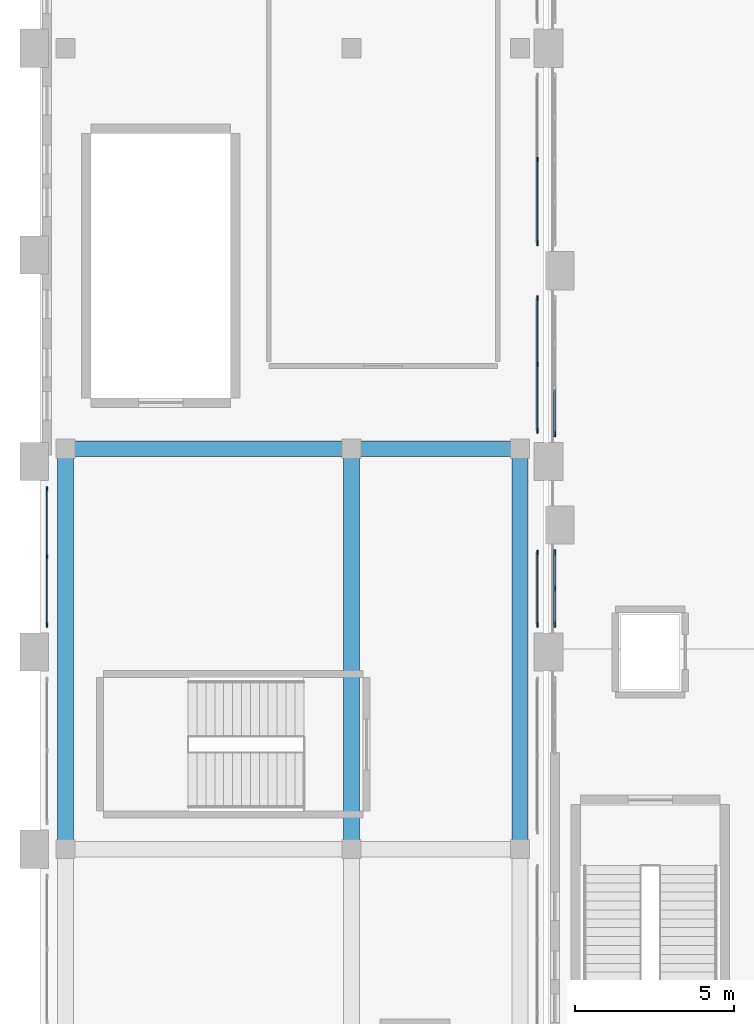
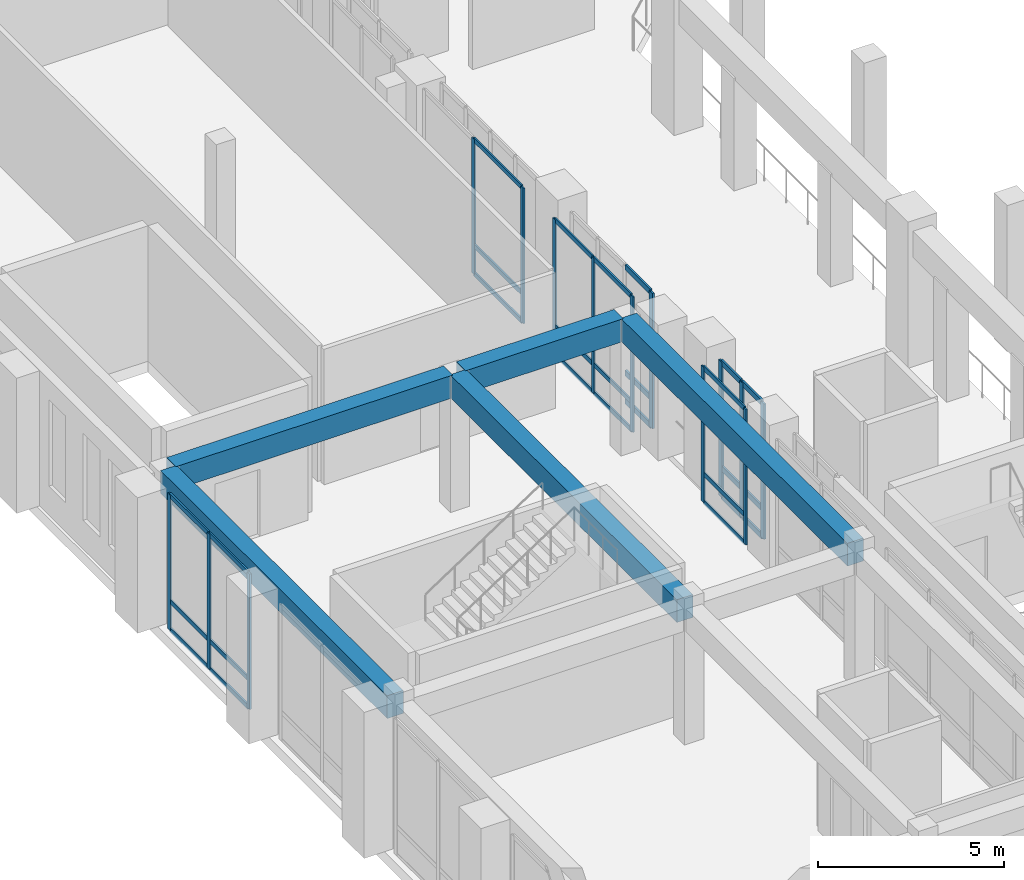
# One storey, part 29 of 126: 41 members, 5 beams, 6 elements without a shape of their own.
"""IFC4 building model written with IfcOpenShell, lengths in metres."""

import ifcopenshell
import ifcopenshell.guid

model = None  # the IFC model being written
_history = None  # IfcOwnerHistory: only IFC2X3 demands one
_inside = {}  # id of a spatial element -> (the spatial element, [elements in it])
_under = {}  # id of a project, library or spatial element -> (it, [spatial elements below it])
_declared = {}  # id of a project -> (the project, [libraries it declares])
_typed = {}  # id of a type object -> (the type object, [elements of that type])
_made_of = {}  # id of a material, layer set ... -> (it, [elements and type objects made of it])


def new_model(schema):
    """Start an empty IFC model of exactly this schema.

    Asked for "IFC4X3", IfcOpenShell would pick the latest addendum, in which some entities
    have other attributes; the version numbers below select the first issue.
    IFC2X3 requires an IfcOwnerHistory on every rooted entity: one is made here for all.
    """
    global model, _history
    if schema == "IFC4X3":
        model = ifcopenshell.file(schema_version=(4, 3, 0, 0))
    else:
        model = ifcopenshell.file(schema=schema)
    _inside.clear()
    _under.clear()
    _declared.clear()
    _typed.clear()
    _made_of.clear()
    _history = None
    if model.schema == "IFC2X3":
        org = make("IfcOrganization", Name="unknown")
        user = make(
            "IfcPersonAndOrganization",
            ThePerson=make("IfcPerson", FamilyName="unknown"),
            TheOrganization=org,
        )
        app = make(
            "IfcApplication",
            ApplicationDeveloper=org,
            Version="unknown",
            ApplicationFullName="unknown",
            ApplicationIdentifier="unknown",
        )
        _history = make(
            "IfcOwnerHistory",
            OwningUser=user,
            OwningApplication=app,
            ChangeAction="ADDED",
            CreationDate=0,
        )
    return model


def make(cls, **values):
    """One entity of the class cls with the attributes given. An attribute that is None is left unset."""
    return model.create_entity(
        cls, **{name: value for name, value in values.items() if value is not None}
    )


def rooted(cls, **values):
    """An entity with a GlobalId (a new one), such as an element, a storey or a relation."""
    return make(cls, GlobalId=ifcopenshell.guid.new(), OwnerHistory=_history, **values)


def si_unit(unit_type, name, prefix=None):
    """IfcSIUnit, for example si_unit("LENGTHUNIT", "METRE", prefix="MILLI")."""
    return make("IfcSIUnit", UnitType=unit_type, Prefix=prefix, Name=name)


def derived_unit(unit_type, elements):
    """IfcDerivedUnit: a product of units, each with its exponent."""
    return make(
        "IfcDerivedUnit",
        Elements=[
            make("IfcDerivedUnitElement", Unit=unit, Exponent=power)
            for unit, power in elements
        ],
        UnitType=unit_type,
    )


def assignment(units):
    """IfcUnitAssignment: the units of a project."""
    return None if units is None else make("IfcUnitAssignment", Units=units)


def point(xyz):
    """IfcCartesianPoint."""
    return None if xyz is None else make("IfcCartesianPoint", Coordinates=xyz)


def direction(xyz):
    """IfcDirection."""
    return None if xyz is None else make("IfcDirection", DirectionRatios=xyz)


def frame(location, z_axis=None, x_axis=None):
    """IfcAxis2Placement3D, a coordinate frame: its origin and axes. An axis left out is left unset."""
    return make(
        "IfcAxis2Placement3D",
        Location=point(location),
        Axis=direction(z_axis),
        RefDirection=direction(x_axis),
    )


def frame_2d(location, x_axis=None):
    """IfcAxis2Placement2D, a coordinate frame in the plane: its origin and x axis."""
    return make(
        "IfcAxis2Placement2D", Location=point(location), RefDirection=direction(x_axis)
    )


def origin():
    """The frame at (0, 0, 0) with its axes left unset."""
    return frame((0.0, 0.0, 0.0))


def origin_2d():
    """The frame at (0, 0) in the plane with its x axis left unset."""
    return frame_2d((0.0, 0.0))


def place(relative_to, where):
    """IfcLocalPlacement: puts the frame where relative to a parent placement (None: the world)."""
    return make(
        "IfcLocalPlacement", PlacementRelTo=relative_to, RelativePlacement=where
    )


def context(
    kind, dimensions, precision=None, world=None, true_north=None, identifier=None
):
    """IfcGeometricRepresentationContext, for example the 3D "Model" context."""
    return make(
        "IfcGeometricRepresentationContext",
        ContextIdentifier=identifier,
        ContextType=kind,
        CoordinateSpaceDimension=dimensions,
        Precision=precision,
        WorldCoordinateSystem=world,
        TrueNorth=true_north,
    )


def subcontext(parent, identifier, kind, view, scale=None):
    """IfcGeometricRepresentationSubContext, for example "Body" below "Model"."""
    return make(
        "IfcGeometricRepresentationSubContext",
        ContextIdentifier=identifier,
        ContextType=kind,
        ParentContext=parent,
        TargetScale=scale,
        TargetView=view,
    )


def project(units=None, contexts=None):
    """IfcProject with its units and contexts."""
    return rooted(
        "IfcProject",
        Name="project",
        RepresentationContexts=contexts,
        UnitsInContext=assignment(units),
    )


def spatial(cls, under=None, at=None, **own):
    """A site, building, storey or space (cls), placed at a placement, below another one or the project."""
    s = rooted(cls, ObjectPlacement=at, **own)
    if under is not None:
        _under.setdefault(under.id(), (under, []))[1].append(s)
    return s


def profile(cls, at=None, kind="AREA", **sizes):
    """A parametric profile (cls). Its sizes go by their IFC names, for example OverallWidth=200.0."""
    return make(cls, ProfileType=kind, Position=at, **sizes)


def rectangle(**sizes):
    """IfcRectangleProfileDef."""
    return profile("IfcRectangleProfileDef", **sizes)


def extrude(swept, where, along, depth):
    """IfcExtrudedAreaSolid: the profile swept, set in the frame where, extruded along a direction by depth."""
    return make(
        "IfcExtrudedAreaSolid",
        SweptArea=swept,
        Position=where,
        ExtrudedDirection=direction(along),
        Depth=depth,
    )


def shape(context_of_items, identifier, shape_type, items):
    """IfcShapeRepresentation: the items that make up one representation, for example the "Body"."""
    return make(
        "IfcShapeRepresentation",
        ContextOfItems=context_of_items,
        RepresentationIdentifier=identifier,
        RepresentationType=shape_type,
        Items=items,
    )


def material(Name=None, Category=None):
    """IfcMaterial."""
    return make("IfcMaterial", Name=Name, Category=Category)


def layer(
    of_material, thickness, ventilated=None, Name=None, Category=None, Priority=None
):
    """IfcMaterialLayer: one layer of a wall or slab, of a material (None: an air gap)."""
    return make(
        "IfcMaterialLayer",
        Material=of_material,
        LayerThickness=thickness,
        IsVentilated=ventilated,
        Name=Name,
        Category=Category,
        Priority=Priority,
    )


def layer_set(layers, Name=None):
    """IfcMaterialLayerSet."""
    return make("IfcMaterialLayerSet", MaterialLayers=layers, LayerSetName=Name)


def material_profile(
    of_material, cross_section, Name=None, Category=None, Priority=None
):
    """IfcMaterialProfile: a cross section and its material."""
    return make(
        "IfcMaterialProfile",
        Name=Name,
        Material=of_material,
        Profile=cross_section,
        Priority=Priority,
        Category=Category,
    )


def profile_set(profiles, Name=None, composite=None):
    """IfcMaterialProfileSet."""
    return make(
        "IfcMaterialProfileSet",
        Name=Name,
        MaterialProfiles=profiles,
        CompositeProfile=composite,
    )


def made_of(thing, what):
    """Note that an element or type object is made of a material, layer set ...; save() writes the relation."""
    if what is not None:
        _made_of.setdefault(what.id(), (what, []))[1].append(thing)
    return thing


def type_object(cls, material=None, **own):
    """A type object (cls), such as IfcWallType, which elements share."""
    return made_of(rooted(cls, **own), material)


def element(
    cls,
    number,
    at=None,
    inside=None,
    cuts=None,
    type_object=None,
    material=None,
    context=None,
    identifier="Body",
    shape_type=None,
    held_by="IfcProductDefinitionShape",
    body=None,
    shapes=None,
    **own,
):
    """One element of the class cls, such as IfcWall. Its Tag is "e" and its number.

    at: its placement. inside: the storey or other place that contains it. cuts: it is an
    opening in that element (IfcRelVoidsElement). A single representation is given by context,
    identifier, shape_type and body (its items); several are given by shapes. held_by: the class
    of the entity that holds the representations. save() writes the other relations.
    """
    e = rooted(cls, Tag="e%d" % number, ObjectPlacement=at, **own)
    if body is not None:
        shapes = [shape(context, identifier, shape_type, body)]
    if shapes is not None:
        e.Representation = make(held_by, Representations=shapes)
    if inside is not None:
        _inside.setdefault(inside.id(), (inside, []))[1].append(e)
    if cuts is not None:
        rooted(
            "IfcRelVoidsElement", RelatingBuildingElement=cuts, RelatedOpeningElement=e
        )
    if type_object is not None:
        _typed.setdefault(type_object.id(), (type_object, []))[1].append(e)
    return made_of(e, material)


def aggregate(whole, parts):
    """IfcRelAggregates: a whole, such as a stair, and the parts it consists of."""
    return rooted("IfcRelAggregates", RelatingObject=whole, RelatedObjects=parts)


def save(model, path):
    """Write the relations noted so far, then the file.

    IfcRelAggregates (storeys below a building ...), IfcRelContainedInSpatialStructure (elements
    in a storey), IfcRelDefinesByType, IfcRelAssociatesMaterial and IfcRelDeclares: one each for
    every whole, place, type object, material and project.
    """
    for whole, parts in _under.values():
        aggregate(whole, parts)
    for where, things in _inside.values():
        rooted(
            "IfcRelContainedInSpatialStructure",
            RelatedElements=things,
            RelatingStructure=where,
        )
    for kind, things in _typed.values():
        rooted("IfcRelDefinesByType", RelatedObjects=things, RelatingType=kind)
    for what, things in _made_of.values():
        rooted("IfcRelAssociatesMaterial", RelatedObjects=things, RelatingMaterial=what)
    for by, libraries in _declared.values():
        rooted("IfcRelDeclares", RelatingContext=by, RelatedDefinitions=libraries)
    model.write(path)


model = new_model("IFC4")

# Units and contexts
model_context = context("Model", 3, precision=1e-05, world=origin(), true_north=direction((0.0, 1.0)))
body_context = subcontext(model_context, "Body", "Model", "MODEL_VIEW")
ifc_project = project(units=[si_unit("LENGTHUNIT", "METRE"), si_unit("AREAUNIT", "SQUARE_METRE"), si_unit("VOLUMEUNIT", "CUBIC_METRE"), si_unit("PLANEANGLEUNIT", "RADIAN"), si_unit("MASSUNIT", "GRAM", prefix="KILO"), derived_unit("THERMALTRANSMITTANCEUNIT", [(si_unit("MASSUNIT", "GRAM", prefix="KILO"), 1), (si_unit("TIMEUNIT", "SECOND"), -3), (si_unit("THERMODYNAMICTEMPERATUREUNIT", "KELVIN"), -1)])], contexts=[model_context])

# Site, building, storey
site_placement = place(None, origin())
site = spatial("IfcSite", under=ifc_project, at=site_placement, CompositionType="ELEMENT")
building_placement = place(site_placement, origin())
building = spatial("IfcBuilding", under=site, at=building_placement, Name="Valcora Ridge Arena", CompositionType="ELEMENT")
storey_placement = place(building_placement, frame((0.0, 0.0, 11.39990234375)))
storey = spatial("IfcBuildingStorey", under=building, at=storey_placement, Name="L02", CompositionType="ELEMENT", Elevation=11.39990234375)

# Beams
ifc_material_1 = material(Name="Concrete C40/50", Category="concrete")
ifc_material_profile_1 = material_profile(ifc_material_1, rectangle(XDim=0.5, YDim=0.75, at=origin_2d()), Name="RC 500x750")
ifc_profile_set_1 = profile_set([ifc_material_profile_1], Name="Concrete C40/50")
beam_type_1 = type_object("IfcBeamType", Name="TY-BEAM-B-RC500-X", PredefinedType="BEAM", material=ifc_profile_set_1)
beam_1_placement = place(storey_placement, frame((1.0, 70.39990234375, 4.0751953125), z_axis=(1.0, 0.0, 0.0), x_axis=(0.0, 1.0, 0.0)))
element("IfcBeam", 1, at=beam_1_placement, inside=storey, type_object=beam_type_1, Name="B-RC500-X BEM-B-RC500-X-0073", PredefinedType="BEAM", context=body_context, shape_type="SweptSolid", body=[
    extrude(rectangle(XDim=0.5, YDim=0.75, at=origin_2d()), origin(), (0.0, 0.0, 1.0), 8.60009765625),
])
beam_2_placement = place(storey_placement, frame((10.0, 70.39990234375, 4.0751953125), z_axis=(1.0, 0.0, 0.0), x_axis=(0.0, 1.0, 0.0)))
element("IfcBeam", 2, at=beam_2_placement, inside=storey, type_object=beam_type_1, Name="B-RC500-X BEM-B-RC500-X-0074", PredefinedType="BEAM", context=body_context, shape_type="SweptSolid", body=[
    extrude(rectangle(XDim=0.5, YDim=0.75, at=origin_2d()), origin(), (0.0, 0.0, 1.0), 4.89990234375),
])
ifc_material_profile_2 = material_profile(ifc_material_1, rectangle(XDim=0.5, YDim=0.75, at=origin_2d()), Name="RC 500x750")
ifc_profile_set_2 = profile_set([ifc_material_profile_2], Name="Concrete C40/50")
beam_type_2 = type_object("IfcBeamType", Name="TY-BEAM-B-RC500-Y", PredefinedType="BEAM", material=ifc_profile_set_2)
for number, where, z_axis, x_axis, name in (
    (3, (0.800048828125, 58.0, 4.0751953125), (0.0, 1.0, 0.0), (-1.0, 0.0, 0.0), "B-RC500-Y BEM-B-RC500-Y-0072"),
    (4, (9.800048828125, 58.0, 4.0751953125), (0.0, 1.0, 0.0), (-1.0, 0.0, 0.0), "B-RC500-Y BEM-B-RC500-Y-0078"),
    (5, (15.10009765625, 58.0, 4.0751953125), (0.0, 1.0, 0.0), (-1.0, 0.0, 0.0), "B-RC500-Y BEM-B-RC500-Y-0083"),
):
    element("IfcBeam", number, at=place(storey_placement, frame(where, z_axis=z_axis, x_axis=x_axis)), inside=storey, type_object=beam_type_2, Name=name, PredefinedType="BEAM", context=body_context, shape_type="SweptSolid", body=[
        extrude(rectangle(XDim=0.5, YDim=0.75, at=origin_2d()), origin(), (0.0, 0.0, 1.0), 12.199951171875),
    ])

# Curtain wall, members
ifc_material_2 = material(Name="Anodised dark bronze architectural aluminium 6063-T6", Category="aluminium")
ifc_layer_1 = layer(ifc_material_2, 0.14990234375, Name="Anodised dark bronze architectural aluminium 6063-T6")
ifc_layer_set_1 = layer_set([ifc_layer_1], Name="Anodised dark bronze architectural aluminium 6063-T6")
curtain_wall_type_1 = type_object("IfcCurtainWallType", Name="TY-CURTAINWALL-CW-V4-CLUB-043X44", PredefinedType="NOTDEFINED", material=ifc_layer_set_1)
curtain_wall_1_placement = place(storey_placement, origin())
curtain_wall_1 = element("IfcCurtainWall", 6, at=curtain_wall_1_placement, inside=storey, type_object=curtain_wall_type_1, Name="CW-V4-CLUB-043X44 CW-0262", PredefinedType="NOTDEFINED")
ifc_material_profile_3 = material_profile(ifc_material_2, rectangle(XDim=0.050048828125, YDim=0.14990234375, at=origin_2d()), Name="ALU MULLION 50x150")
ifc_profile_set_3 = profile_set([ifc_material_profile_3], Name="Anodised dark bronze architectural aluminium 6063-T6")
member_type_1 = type_object("IfcMemberType", Name="TY-MEM-CWM-50x150", PredefinedType="MULLION", material=ifc_profile_set_3)
member_1_placement = place(storey_placement, frame((0.219970703125, 64.864990234375, 0.0), z_axis=(0.0, 0.0, 1.0), x_axis=(-1.0, 0.0, 0.0)))
member_1 = element("IfcMember", 7, at=member_1_placement, type_object=member_type_1, Name="CW-0262/CWM-50x150/M00", PredefinedType="MULLION", context=body_context, shape_type="SweptSolid", body=[
    extrude(rectangle(XDim=0.050048828125, YDim=0.14990234375, at=origin_2d()), origin(), (0.0, 0.0, 1.0), 4.4501953125),
])
member_2_placement = place(storey_placement, frame((0.219970703125, 67.0, 0.0), z_axis=(0.0, 0.0, 1.0), x_axis=(-1.0, 0.0, 0.0)))
member_2 = element("IfcMember", 8, at=member_2_placement, type_object=member_type_1, Name="CW-0262/CWM-50x150/M01", PredefinedType="MULLION", context=body_context, shape_type="SweptSolid", body=[
    extrude(rectangle(XDim=0.050048828125, YDim=0.14990234375, at=origin_2d()), origin(), (0.0, 0.0, 1.0), 4.4501953125),
])
member_3_placement = place(storey_placement, frame((0.219970703125, 69.135009765625, 0.0), z_axis=(0.0, 0.0, 1.0), x_axis=(-1.0, 0.0, 0.0)))
member_3 = element("IfcMember", 9, at=member_3_placement, type_object=member_type_1, Name="CW-0262/CWM-50x150/M02", PredefinedType="MULLION", context=body_context, shape_type="SweptSolid", body=[
    extrude(rectangle(XDim=0.050048828125, YDim=0.14990234375, at=origin_2d()), origin(), (0.0, 0.0, 1.0), 4.4501953125),
])

ifc_layer_2 = layer(ifc_material_2, 0.14990234375, Name="Anodised dark bronze architectural aluminium 6063-T6")
ifc_layer_set_2 = layer_set([ifc_layer_2], Name="Anodised dark bronze architectural aluminium 6063-T6")
curtain_wall_type_2 = type_object("IfcCurtainWallType", Name="TY-CURTAINWALL-CW-V4-CLUB-023X44", PredefinedType="NOTDEFINED", material=ifc_layer_set_2)
curtain_wall_2_placement = place(storey_placement, origin())
curtain_wall_2 = element("IfcCurtainWall", 10, at=curtain_wall_2_placement, inside=storey, type_object=curtain_wall_type_2, Name="CW-V4-CLUB-023X44 CW-0265", PredefinedType="NOTDEFINED")
member_4_placement = place(storey_placement, frame((15.64990234375, 64.864990234375, 0.0), z_axis=(0.0, 0.0, 1.0), x_axis=(-1.0, 0.0, 0.0)))
member_4 = element("IfcMember", 11, at=member_4_placement, type_object=member_type_1, Name="CW-0265/CWM-50x150/M00", PredefinedType="MULLION", context=body_context, shape_type="SweptSolid", body=[
    extrude(rectangle(XDim=0.050048828125, YDim=0.14990234375, at=origin_2d()), origin(), (0.0, 0.0, 1.0), 4.4501953125),
])
member_5_placement = place(storey_placement, frame((15.64990234375, 67.135009765625, 0.0), z_axis=(0.0, 0.0, 1.0), x_axis=(-1.0, 0.0, 0.0)))
member_5 = element("IfcMember", 12, at=member_5_placement, type_object=member_type_1, Name="CW-0265/CWM-50x150/M01", PredefinedType="MULLION", context=body_context, shape_type="SweptSolid", body=[
    extrude(rectangle(XDim=0.050048828125, YDim=0.14990234375, at=origin_2d()), origin(), (0.0, 0.0, 1.0), 4.4501953125),
])

ifc_layer_3 = layer(ifc_material_2, 0.14990234375, Name="Anodised dark bronze architectural aluminium 6063-T6")
ifc_layer_set_3 = layer_set([ifc_layer_3], Name="Anodised dark bronze architectural aluminium 6063-T6")
curtain_wall_type_3 = type_object("IfcCurtainWallType", Name="TY-CURTAINWALL-CW-V4-CLUB-042X44", PredefinedType="NOTDEFINED", material=ifc_layer_set_3)
curtain_wall_3_placement = place(storey_placement, origin())
curtain_wall_3 = element("IfcCurtainWall", 13, at=curtain_wall_3_placement, inside=storey, type_object=curtain_wall_type_3, Name="CW-V4-CLUB-042X44 CW-0266", PredefinedType="NOTDEFINED")
member_6_placement = place(storey_placement, frame((15.64990234375, 70.965087890625, 0.0), z_axis=(0.0, 0.0, 1.0), x_axis=(-1.0, 0.0, 0.0)))
member_6 = element("IfcMember", 14, at=member_6_placement, type_object=member_type_1, Name="CW-0266/CWM-50x150/M00", PredefinedType="MULLION", context=body_context, shape_type="SweptSolid", body=[
    extrude(rectangle(XDim=0.050048828125, YDim=0.14990234375, at=origin_2d()), origin(), (0.0, 0.0, 1.0), 4.4501953125),
])
member_7_placement = place(storey_placement, frame((15.64990234375, 73.050048828125, 0.0), z_axis=(0.0, 0.0, 1.0), x_axis=(-1.0, 0.0, 0.0)))
member_7 = element("IfcMember", 15, at=member_7_placement, type_object=member_type_1, Name="CW-0266/CWM-50x150/M01", PredefinedType="MULLION", context=body_context, shape_type="SweptSolid", body=[
    extrude(rectangle(XDim=0.050048828125, YDim=0.14990234375, at=origin_2d()), origin(), (0.0, 0.0, 1.0), 4.4501953125),
])
member_8_placement = place(storey_placement, frame((15.64990234375, 75.135009765625, 0.0), z_axis=(0.0, 0.0, 1.0), x_axis=(-1.0, 0.0, 0.0)))
member_8 = element("IfcMember", 16, at=member_8_placement, type_object=member_type_1, Name="CW-0266/CWM-50x150/M02", PredefinedType="MULLION", context=body_context, shape_type="SweptSolid", body=[
    extrude(rectangle(XDim=0.050048828125, YDim=0.14990234375, at=origin_2d()), origin(), (0.0, 0.0, 1.0), 4.4501953125),
])

ifc_layer_4 = layer(ifc_material_2, 0.14990234375, Name="Anodised dark bronze architectural aluminium 6063-T6")
ifc_layer_set_4 = layer_set([ifc_layer_4], Name="Anodised dark bronze architectural aluminium 6063-T6")
curtain_wall_type_4 = type_object("IfcCurtainWallType", Name="TY-CURTAINWALL-CW-V4-CLUB-053X44", PredefinedType="NOTDEFINED", material=ifc_layer_set_4)
curtain_wall_4_placement = place(storey_placement, origin())
curtain_wall_4 = element("IfcCurtainWall", 17, at=curtain_wall_4_placement, inside=storey, type_object=curtain_wall_type_4, Name="CW-V4-CLUB-053X44 CW-0267", PredefinedType="NOTDEFINED")
member_9_placement = place(storey_placement, frame((15.64990234375, 76.864990234375, 0.0), z_axis=(0.0, 0.0, 1.0), x_axis=(-1.0, 0.0, 0.0)))
member_9 = element("IfcMember", 18, at=member_9_placement, type_object=member_type_1, Name="CW-0267/CWM-50x150/M00", PredefinedType="MULLION", context=body_context, shape_type="SweptSolid", body=[
    extrude(rectangle(XDim=0.050048828125, YDim=0.14990234375, at=origin_2d()), origin(), (0.0, 0.0, 1.0), 4.4501953125),
])
member_10_placement = place(storey_placement, frame((15.64990234375, 79.5, 0.0), z_axis=(0.0, 0.0, 1.0), x_axis=(-1.0, 0.0, 0.0)))
member_10 = element("IfcMember", 19, at=member_10_placement, type_object=member_type_1, Name="CW-0267/CWM-50x150/M01", PredefinedType="MULLION", context=body_context, shape_type="SweptSolid", body=[
    extrude(rectangle(XDim=0.050048828125, YDim=0.14990234375, at=origin_2d()), origin(), (0.0, 0.0, 1.0), 4.4501953125),
])

ifc_layer_5 = layer(ifc_material_2, 0.179931640625, Name="Anodised dark bronze architectural aluminium 6063-T6")
ifc_layer_set_5 = layer_set([ifc_layer_5], Name="Anodised dark bronze architectural aluminium 6063-T6")
curtain_wall_type_5 = type_object("IfcCurtainWallType", Name="TY-CURTAINWALL-CW-V1-GOTH-023X44", PredefinedType="NOTDEFINED", material=ifc_layer_set_5)
curtain_wall_5_placement = place(storey_placement, origin())
curtain_wall_5 = element("IfcCurtainWall", 20, at=curtain_wall_5_placement, inside=storey, type_object=curtain_wall_type_5, Name="CW-V1-GOTH-023X44 CW-0115", PredefinedType="NOTDEFINED")
ifc_material_profile_4 = material_profile(ifc_material_2, rectangle(XDim=0.06005859375, YDim=0.179931640625, at=origin_2d()), Name="ALU MULLION 60x180")
ifc_profile_set_4 = profile_set([ifc_material_profile_4], Name="Anodised dark bronze architectural aluminium 6063-T6")
member_type_2 = type_object("IfcMemberType", Name="TY-MEM-CWM-60x180", PredefinedType="MULLION", material=ifc_profile_set_4)
member_11_placement = place(storey_placement, frame((16.199951171875, 64.8701171875, 0.0), z_axis=(0.0, 0.0, 1.0), x_axis=(-1.0, 0.0, 0.0)))
member_11 = element("IfcMember", 21, at=member_11_placement, type_object=member_type_2, Name="CW-0115/CWM-60x180/M00", PredefinedType="MULLION", context=body_context, shape_type="SweptSolid", body=[
    extrude(rectangle(XDim=0.06005859375, YDim=0.179931640625, at=origin_2d()), origin(), (0.0, 0.0, 1.0), 4.4501953125),
])
member_12_placement = place(storey_placement, frame((16.199951171875, 66.0, 0.0), z_axis=(0.0, 0.0, 1.0), x_axis=(-1.0, 0.0, 0.0)))
member_12 = element("IfcMember", 22, at=member_12_placement, type_object=member_type_2, Name="CW-0115/CWM-60x180/M01", PredefinedType="MULLION", context=body_context, shape_type="SweptSolid", body=[
    extrude(rectangle(XDim=0.06005859375, YDim=0.179931640625, at=origin_2d()), origin(), (0.0, 0.0, 1.0), 4.4501953125),
])
member_13_placement = place(storey_placement, frame((16.199951171875, 67.1298828125, 0.0), z_axis=(0.0, 0.0, 1.0), x_axis=(-1.0, 0.0, 0.0)))
member_13 = element("IfcMember", 23, at=member_13_placement, type_object=member_type_2, Name="CW-0115/CWM-60x180/M02", PredefinedType="MULLION", context=body_context, shape_type="SweptSolid", body=[
    extrude(rectangle(XDim=0.06005859375, YDim=0.179931640625, at=origin_2d()), origin(), (0.0, 0.0, 1.0), 4.4501953125),
])

# Curtain wall, member
ifc_layer_6 = layer(ifc_material_2, 0.179931640625, Name="Anodised dark bronze architectural aluminium 6063-T6")
ifc_layer_set_6 = layer_set([ifc_layer_6], Name="Anodised dark bronze architectural aluminium 6063-T6")
curtain_wall_type_6 = type_object("IfcCurtainWallType", Name="TY-CURTAINWALL-CW-V1-GOTH-043X44", PredefinedType="NOTDEFINED", material=ifc_layer_set_6)
curtain_wall_6_placement = place(storey_placement, origin())
curtain_wall_6 = element("IfcCurtainWall", 24, at=curtain_wall_6_placement, inside=storey, type_object=curtain_wall_type_6, Name="CW-V1-GOTH-043X44 CW-0116", PredefinedType="NOTDEFINED")
member_14_placement = place(storey_placement, frame((16.199951171875, 70.8701171875, 0.0), z_axis=(0.0, 0.0, 1.0), x_axis=(-1.0, 0.0, 0.0)))
member_14 = element("IfcMember", 25, at=member_14_placement, type_object=member_type_2, Name="CW-0116/CWM-60x180/M00", PredefinedType="MULLION", context=body_context, shape_type="SweptSolid", body=[
    extrude(rectangle(XDim=0.06005859375, YDim=0.179931640625, at=origin_2d()), origin(), (0.0, 0.0, 1.0), 4.4501953125),
])

# Member
ifc_material_profile_5 = material_profile(ifc_material_2, rectangle(XDim=0.050048828125, YDim=0.14990234375, at=origin_2d()), Name="ALU TRANSOM 50x150")
ifc_profile_set_5 = profile_set([ifc_material_profile_5], Name="Anodised dark bronze architectural aluminium 6063-T6")
member_type_3 = type_object("IfcMemberType", Name="TY-MEM-CWT-50x150", PredefinedType="USERDEFINED", material=ifc_profile_set_5)
member_15_placement = place(storey_placement, frame((0.219970703125, 64.889892578125, 0.025146484375), z_axis=(0.0, 1.0, 0.0), x_axis=(-1.0, 0.0, 0.0)))
member_15 = element("IfcMember", 26, at=member_15_placement, type_object=member_type_3, Name="CW-0262/CWT-50x150/T00-00", ObjectType="TRANSOM", PredefinedType="USERDEFINED", context=body_context, shape_type="SweptSolid", body=[
    extrude(rectangle(XDim=0.050048828125, YDim=0.14990234375, at=origin_2d()), origin(), (0.0, 0.0, 1.0), 2.085205078125),
])

member_16_placement = place(storey_placement, frame((0.219970703125, 64.889892578125, 0.9501953125), z_axis=(0.0, 1.0, 0.0), x_axis=(-1.0, 0.0, 0.0)))
member_16 = element("IfcMember", 27, at=member_16_placement, type_object=member_type_3, Name="CW-0262/CWT-50x150/T00-01", ObjectType="TRANSOM", PredefinedType="USERDEFINED", context=body_context, shape_type="SweptSolid", body=[
    extrude(rectangle(XDim=0.050048828125, YDim=0.14990234375, at=origin_2d()), origin(), (0.0, 0.0, 1.0), 2.085205078125),
])

member_17_placement = place(storey_placement, frame((0.219970703125, 64.889892578125, 4.425048828125), z_axis=(0.0, 1.0, 0.0), x_axis=(-1.0, 0.0, 0.0)))
member_17 = element("IfcMember", 28, at=member_17_placement, type_object=member_type_3, Name="CW-0262/CWT-50x150/T00-02", ObjectType="TRANSOM", PredefinedType="USERDEFINED", context=body_context, shape_type="SweptSolid", body=[
    extrude(rectangle(XDim=0.050048828125, YDim=0.14990234375, at=origin_2d()), origin(), (0.0, 0.0, 1.0), 2.085205078125),
])

member_18_placement = place(storey_placement, frame((0.219970703125, 67.02490234375, 0.025146484375), z_axis=(0.0, 1.0, 0.0), x_axis=(-1.0, 0.0, 0.0)))
member_18 = element("IfcMember", 29, at=member_18_placement, type_object=member_type_3, Name="CW-0262/CWT-50x150/T01-00", ObjectType="TRANSOM", PredefinedType="USERDEFINED", context=body_context, shape_type="SweptSolid", body=[
    extrude(rectangle(XDim=0.050048828125, YDim=0.14990234375, at=origin_2d()), origin(), (0.0, 0.0, 1.0), 2.085205078125),
])

member_19_placement = place(storey_placement, frame((0.219970703125, 67.02490234375, 0.9501953125), z_axis=(0.0, 1.0, 0.0), x_axis=(-1.0, 0.0, 0.0)))
member_19 = element("IfcMember", 30, at=member_19_placement, type_object=member_type_3, Name="CW-0262/CWT-50x150/T01-01", ObjectType="TRANSOM", PredefinedType="USERDEFINED", context=body_context, shape_type="SweptSolid", body=[
    extrude(rectangle(XDim=0.050048828125, YDim=0.14990234375, at=origin_2d()), origin(), (0.0, 0.0, 1.0), 2.085205078125),
])

member_20_placement = place(storey_placement, frame((0.219970703125, 67.02490234375, 4.425048828125), z_axis=(0.0, 1.0, 0.0), x_axis=(-1.0, 0.0, 0.0)))
member_20 = element("IfcMember", 31, at=member_20_placement, type_object=member_type_3, Name="CW-0262/CWT-50x150/T01-02", ObjectType="TRANSOM", PredefinedType="USERDEFINED", context=body_context, shape_type="SweptSolid", body=[
    extrude(rectangle(XDim=0.050048828125, YDim=0.14990234375, at=origin_2d()), origin(), (0.0, 0.0, 1.0), 2.085205078125),
])

aggregate(curtain_wall_1, [member_1, member_2, member_3, member_15, member_16, member_17, member_18, member_19, member_20])

member_21_placement = place(storey_placement, frame((15.64990234375, 64.889892578125, 0.025146484375), z_axis=(0.0, 1.0, 0.0), x_axis=(-1.0, 0.0, 0.0)))
member_21 = element("IfcMember", 32, at=member_21_placement, type_object=member_type_3, Name="CW-0265/CWT-50x150/T00-00", ObjectType="TRANSOM", PredefinedType="USERDEFINED", context=body_context, shape_type="SweptSolid", body=[
    extrude(rectangle(XDim=0.050048828125, YDim=0.14990234375, at=origin_2d()), origin(), (0.0, 0.0, 1.0), 2.22021484375),
])

member_22_placement = place(storey_placement, frame((15.64990234375, 64.889892578125, 0.9501953125), z_axis=(0.0, 1.0, 0.0), x_axis=(-1.0, 0.0, 0.0)))
member_22 = element("IfcMember", 33, at=member_22_placement, type_object=member_type_3, Name="CW-0265/CWT-50x150/T00-01", ObjectType="TRANSOM", PredefinedType="USERDEFINED", context=body_context, shape_type="SweptSolid", body=[
    extrude(rectangle(XDim=0.050048828125, YDim=0.14990234375, at=origin_2d()), origin(), (0.0, 0.0, 1.0), 2.22021484375),
])

member_23_placement = place(storey_placement, frame((15.64990234375, 64.889892578125, 4.425048828125), z_axis=(0.0, 1.0, 0.0), x_axis=(-1.0, 0.0, 0.0)))
member_23 = element("IfcMember", 34, at=member_23_placement, type_object=member_type_3, Name="CW-0265/CWT-50x150/T00-02", ObjectType="TRANSOM", PredefinedType="USERDEFINED", context=body_context, shape_type="SweptSolid", body=[
    extrude(rectangle(XDim=0.050048828125, YDim=0.14990234375, at=origin_2d()), origin(), (0.0, 0.0, 1.0), 2.22021484375),
])

aggregate(curtain_wall_2, [member_4, member_5, member_21, member_22, member_23])

member_24_placement = place(storey_placement, frame((15.64990234375, 70.989990234375, 0.025146484375), z_axis=(0.0, 1.0, 0.0), x_axis=(-1.0, 0.0, 0.0)))
member_24 = element("IfcMember", 35, at=member_24_placement, type_object=member_type_3, Name="CW-0266/CWT-50x150/T00-00", ObjectType="TRANSOM", PredefinedType="USERDEFINED", context=body_context, shape_type="SweptSolid", body=[
    extrude(rectangle(XDim=0.050048828125, YDim=0.14990234375, at=origin_2d()), origin(), (0.0, 0.0, 1.0), 2.034912109375),
])

member_25_placement = place(storey_placement, frame((15.64990234375, 70.989990234375, 0.9501953125), z_axis=(0.0, 1.0, 0.0), x_axis=(-1.0, 0.0, 0.0)))
member_25 = element("IfcMember", 36, at=member_25_placement, type_object=member_type_3, Name="CW-0266/CWT-50x150/T00-01", ObjectType="TRANSOM", PredefinedType="USERDEFINED", context=body_context, shape_type="SweptSolid", body=[
    extrude(rectangle(XDim=0.050048828125, YDim=0.14990234375, at=origin_2d()), origin(), (0.0, 0.0, 1.0), 2.034912109375),
])

member_26_placement = place(storey_placement, frame((15.64990234375, 70.989990234375, 4.425048828125), z_axis=(0.0, 1.0, 0.0), x_axis=(-1.0, 0.0, 0.0)))
member_26 = element("IfcMember", 37, at=member_26_placement, type_object=member_type_3, Name="CW-0266/CWT-50x150/T00-02", ObjectType="TRANSOM", PredefinedType="USERDEFINED", context=body_context, shape_type="SweptSolid", body=[
    extrude(rectangle(XDim=0.050048828125, YDim=0.14990234375, at=origin_2d()), origin(), (0.0, 0.0, 1.0), 2.034912109375),
])

member_27_placement = place(storey_placement, frame((15.64990234375, 73.074951171875, 0.025146484375), z_axis=(0.0, 1.0, 0.0), x_axis=(-1.0, 0.0, 0.0)))
member_27 = element("IfcMember", 38, at=member_27_placement, type_object=member_type_3, Name="CW-0266/CWT-50x150/T01-00", ObjectType="TRANSOM", PredefinedType="USERDEFINED", context=body_context, shape_type="SweptSolid", body=[
    extrude(rectangle(XDim=0.050048828125, YDim=0.14990234375, at=origin_2d()), origin(), (0.0, 0.0, 1.0), 2.03515625),
])

member_28_placement = place(storey_placement, frame((15.64990234375, 73.074951171875, 0.9501953125), z_axis=(0.0, 1.0, 0.0), x_axis=(-1.0, 0.0, 0.0)))
member_28 = element("IfcMember", 39, at=member_28_placement, type_object=member_type_3, Name="CW-0266/CWT-50x150/T01-01", ObjectType="TRANSOM", PredefinedType="USERDEFINED", context=body_context, shape_type="SweptSolid", body=[
    extrude(rectangle(XDim=0.050048828125, YDim=0.14990234375, at=origin_2d()), origin(), (0.0, 0.0, 1.0), 2.03515625),
])

member_29_placement = place(storey_placement, frame((15.64990234375, 73.074951171875, 4.425048828125), z_axis=(0.0, 1.0, 0.0), x_axis=(-1.0, 0.0, 0.0)))
member_29 = element("IfcMember", 40, at=member_29_placement, type_object=member_type_3, Name="CW-0266/CWT-50x150/T01-02", ObjectType="TRANSOM", PredefinedType="USERDEFINED", context=body_context, shape_type="SweptSolid", body=[
    extrude(rectangle(XDim=0.050048828125, YDim=0.14990234375, at=origin_2d()), origin(), (0.0, 0.0, 1.0), 2.03515625),
])

aggregate(curtain_wall_3, [member_6, member_7, member_8, member_24, member_25, member_26, member_27, member_28, member_29])

member_30_placement = place(storey_placement, frame((15.64990234375, 76.889892578125, 0.025146484375), z_axis=(0.0, 1.0, 0.0), x_axis=(-1.0, 0.0, 0.0)))
member_30 = element("IfcMember", 41, at=member_30_placement, type_object=member_type_3, Name="CW-0267/CWT-50x150/T00-00", ObjectType="TRANSOM", PredefinedType="USERDEFINED", context=body_context, shape_type="SweptSolid", body=[
    extrude(rectangle(XDim=0.050048828125, YDim=0.14990234375, at=origin_2d()), origin(), (0.0, 0.0, 1.0), 2.585205078125),
])

member_31_placement = place(storey_placement, frame((15.64990234375, 76.889892578125, 0.9501953125), z_axis=(0.0, 1.0, 0.0), x_axis=(-1.0, 0.0, 0.0)))
member_31 = element("IfcMember", 42, at=member_31_placement, type_object=member_type_3, Name="CW-0267/CWT-50x150/T00-01", ObjectType="TRANSOM", PredefinedType="USERDEFINED", context=body_context, shape_type="SweptSolid", body=[
    extrude(rectangle(XDim=0.050048828125, YDim=0.14990234375, at=origin_2d()), origin(), (0.0, 0.0, 1.0), 2.585205078125),
])

member_32_placement = place(storey_placement, frame((15.64990234375, 76.889892578125, 4.425048828125), z_axis=(0.0, 1.0, 0.0), x_axis=(-1.0, 0.0, 0.0)))
member_32 = element("IfcMember", 43, at=member_32_placement, type_object=member_type_3, Name="CW-0267/CWT-50x150/T00-02", ObjectType="TRANSOM", PredefinedType="USERDEFINED", context=body_context, shape_type="SweptSolid", body=[
    extrude(rectangle(XDim=0.050048828125, YDim=0.14990234375, at=origin_2d()), origin(), (0.0, 0.0, 1.0), 2.585205078125),
])

aggregate(curtain_wall_4, [member_9, member_10, member_30, member_31, member_32])

ifc_material_profile_6 = material_profile(ifc_material_2, rectangle(XDim=0.06005859375, YDim=0.179931640625, at=origin_2d()), Name="ALU TRANSOM 60x180")
ifc_profile_set_6 = profile_set([ifc_material_profile_6], Name="Anodised dark bronze architectural aluminium 6063-T6")
member_type_4 = type_object("IfcMemberType", Name="TY-MEM-CWT-60x180", PredefinedType="USERDEFINED", material=ifc_profile_set_6)
member_33_placement = place(storey_placement, frame((16.199951171875, 64.89990234375, 0.030029296875), z_axis=(0.0, 1.0, 0.0), x_axis=(-1.0, 0.0, 0.0)))
member_33 = element("IfcMember", 44, at=member_33_placement, type_object=member_type_4, Name="CW-0115/CWT-60x180/T00-00", ObjectType="TRANSOM", PredefinedType="USERDEFINED", context=body_context, shape_type="SweptSolid", body=[
    extrude(rectangle(XDim=0.06005859375, YDim=0.179931640625, at=origin_2d()), origin(), (0.0, 0.0, 1.0), 1.070068359375),
])

member_34_placement = place(storey_placement, frame((16.199951171875, 64.89990234375, 0.9501953125), z_axis=(0.0, 1.0, 0.0), x_axis=(-1.0, 0.0, 0.0)))
member_34 = element("IfcMember", 45, at=member_34_placement, type_object=member_type_4, Name="CW-0115/CWT-60x180/T00-01", ObjectType="TRANSOM", PredefinedType="USERDEFINED", context=body_context, shape_type="SweptSolid", body=[
    extrude(rectangle(XDim=0.06005859375, YDim=0.179931640625, at=origin_2d()), origin(), (0.0, 0.0, 1.0), 1.070068359375),
])

member_35_placement = place(storey_placement, frame((16.199951171875, 64.89990234375, 4.420166015625), z_axis=(0.0, 1.0, 0.0), x_axis=(-1.0, 0.0, 0.0)))
member_35 = element("IfcMember", 46, at=member_35_placement, type_object=member_type_4, Name="CW-0115/CWT-60x180/T00-02", ObjectType="TRANSOM", PredefinedType="USERDEFINED", context=body_context, shape_type="SweptSolid", body=[
    extrude(rectangle(XDim=0.06005859375, YDim=0.179931640625, at=origin_2d()), origin(), (0.0, 0.0, 1.0), 1.070068359375),
])

member_36_placement = place(storey_placement, frame((16.199951171875, 66.030029296875, 0.030029296875), z_axis=(0.0, 1.0, 0.0), x_axis=(-1.0, 0.0, 0.0)))
member_36 = element("IfcMember", 47, at=member_36_placement, type_object=member_type_4, Name="CW-0115/CWT-60x180/T01-00", ObjectType="TRANSOM", PredefinedType="USERDEFINED", context=body_context, shape_type="SweptSolid", body=[
    extrude(rectangle(XDim=0.06005859375, YDim=0.179931640625, at=origin_2d()), origin(), (0.0, 0.0, 1.0), 1.070068359375),
])

member_37_placement = place(storey_placement, frame((16.199951171875, 66.030029296875, 0.9501953125), z_axis=(0.0, 1.0, 0.0), x_axis=(-1.0, 0.0, 0.0)))
member_37 = element("IfcMember", 48, at=member_37_placement, type_object=member_type_4, Name="CW-0115/CWT-60x180/T01-01", ObjectType="TRANSOM", PredefinedType="USERDEFINED", context=body_context, shape_type="SweptSolid", body=[
    extrude(rectangle(XDim=0.06005859375, YDim=0.179931640625, at=origin_2d()), origin(), (0.0, 0.0, 1.0), 1.070068359375),
])

member_38_placement = place(storey_placement, frame((16.199951171875, 66.030029296875, 4.420166015625), z_axis=(0.0, 1.0, 0.0), x_axis=(-1.0, 0.0, 0.0)))
member_38 = element("IfcMember", 49, at=member_38_placement, type_object=member_type_4, Name="CW-0115/CWT-60x180/T01-02", ObjectType="TRANSOM", PredefinedType="USERDEFINED", context=body_context, shape_type="SweptSolid", body=[
    extrude(rectangle(XDim=0.06005859375, YDim=0.179931640625, at=origin_2d()), origin(), (0.0, 0.0, 1.0), 1.070068359375),
])

aggregate(curtain_wall_5, [member_11, member_12, member_13, member_33, member_34, member_35, member_36, member_37, member_38])

member_39_placement = place(storey_placement, frame((16.199951171875, 70.89990234375, 0.030029296875), z_axis=(0.0, 1.0, 0.0), x_axis=(-1.0, 0.0, 0.0)))
member_39 = element("IfcMember", 50, at=member_39_placement, type_object=member_type_4, Name="CW-0116/CWT-60x180/T00-00", ObjectType="TRANSOM", PredefinedType="USERDEFINED", context=body_context, shape_type="SweptSolid", body=[
    extrude(rectangle(XDim=0.06005859375, YDim=0.179931640625, at=origin_2d()), origin(), (0.0, 0.0, 1.0), 1.35009765625),
])

member_40_placement = place(storey_placement, frame((16.199951171875, 70.89990234375, 0.9501953125), z_axis=(0.0, 1.0, 0.0), x_axis=(-1.0, 0.0, 0.0)))
member_40 = element("IfcMember", 51, at=member_40_placement, type_object=member_type_4, Name="CW-0116/CWT-60x180/T00-01", ObjectType="TRANSOM", PredefinedType="USERDEFINED", context=body_context, shape_type="SweptSolid", body=[
    extrude(rectangle(XDim=0.06005859375, YDim=0.179931640625, at=origin_2d()), origin(), (0.0, 0.0, 1.0), 1.35009765625),
])

member_41_placement = place(storey_placement, frame((16.199951171875, 70.89990234375, 4.420166015625), z_axis=(0.0, 1.0, 0.0), x_axis=(-1.0, 0.0, 0.0)))
member_41 = element("IfcMember", 52, at=member_41_placement, type_object=member_type_4, Name="CW-0116/CWT-60x180/T00-02", ObjectType="TRANSOM", PredefinedType="USERDEFINED", context=body_context, shape_type="SweptSolid", body=[
    extrude(rectangle(XDim=0.06005859375, YDim=0.179931640625, at=origin_2d()), origin(), (0.0, 0.0, 1.0), 1.35009765625),
])

aggregate(curtain_wall_6, [member_14, member_39, member_40, member_41])

save(model, "model.ifc")
